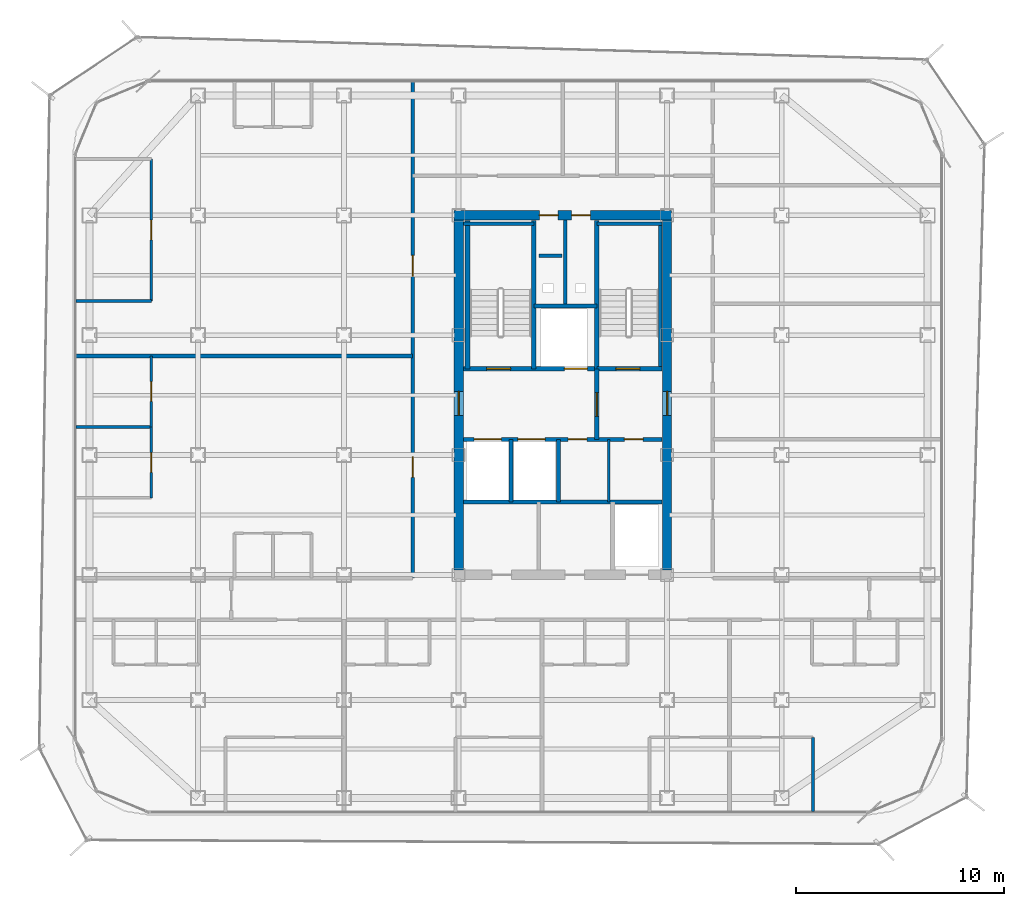
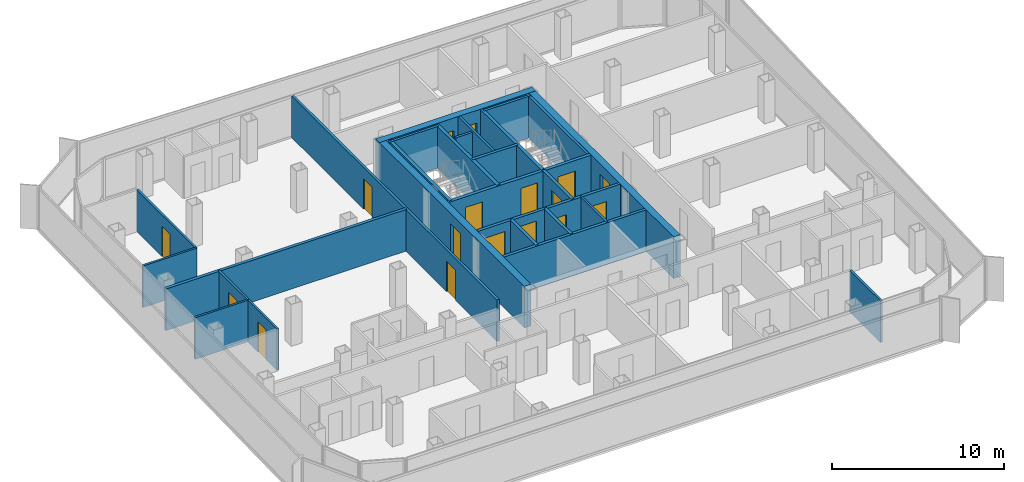
# One storey, part 11 of 16: 28 walls, 17 doors, 17 openings.
"""IFC4 building model written with IfcOpenShell, lengths in metres."""

from ifc_helpers import new_model, si_unit, direction, frame, frame_2d, origin, place, context, subcontext, project, spatial, rectangle, extrude, material, layer, layer_set, type_object, element, fill, save


model = new_model("IFC4")

# Units and contexts
model_context = context("Model", 3, precision=1e-05, world=origin(), true_north=direction((0.0, 1.0)))
body_context = subcontext(model_context, "Body", "Model", "MODEL_VIEW")
ifc_project = project(units=[si_unit("LENGTHUNIT", "METRE"), si_unit("AREAUNIT", "SQUARE_METRE"), si_unit("VOLUMEUNIT", "CUBIC_METRE"), si_unit("PLANEANGLEUNIT", "RADIAN"), si_unit("MASSUNIT", "GRAM", prefix="KILO")], contexts=[model_context])

# Site, building, storey
site_placement = place(None, origin())
site = spatial("IfcSite", under=ifc_project, at=site_placement, CompositionType="ELEMENT")
building_placement = place(site_placement, origin())
building = spatial("IfcBuilding", under=site, at=building_placement, Name="Kolveth Station Tower", CompositionType="ELEMENT")
storey_placement = place(building_placement, frame((0.0, 0.0, 209.199951171875)))
storey = spatial("IfcBuildingStorey", under=building, at=storey_placement, Name="L59", CompositionType="ELEMENT", Elevation=209.199951171875)

# Wall, openings, doors
ifc_material_1 = material(Name="Concrete C50/60", Category="concrete")
ifc_layer_1 = layer(ifc_material_1, 0.449951171875)
ifc_layer_set_1 = layer_set([ifc_layer_1], Name="Concrete C50/60")
wall_type_1 = type_object("IfcWallType", Name="Wall_CW-450", PredefinedType="SHEAR", material=ifc_layer_set_1)
wall_1_placement = place(storey_placement, frame((18.27490234375, 28.75, 0.0), z_axis=(0.0, 0.0, 1.0), x_axis=(1.0, 0.0, 0.0)))
wall_1 = element("IfcWall", 1, at=wall_1_placement, inside=storey, type_object=wall_type_1, Name="L59 Core RC Shear Wall N", PredefinedType="SHEAR", context=body_context, shape_type="SweptSolid", body=[
    extrude(rectangle(XDim=10.4501953125, YDim=0.449951171875, at=frame_2d((5.22509765625, 0.0))), origin(), (0.0, 0.0, 1.0), 2.949951171875),
])
opening_1_placement = place(wall_1_placement, frame((4.10498046875, 0.0, 0.0)))
opening_1 = element("IfcOpeningElement", 2, at=opening_1_placement, cuts=wall_1, Name="Opening RD1", PredefinedType="OPENING", context=body_context, shape_type="SweptSolid", body=[
    extrude(rectangle(XDim=0.89990234375, YDim=2.050048828125, at=frame_2d((0.449951171875, 1.02490234375))), frame((0.0, 0.23486328125, 0.0), z_axis=(0.0, -1.0, 0.0), x_axis=(1.0, 0.0, 0.0)), (0.0, 0.0, 1.0), 0.469970703125),
])
opening_2_placement = place(wall_1_placement, frame((5.64501953125, 0.0, 0.0)))
opening_2 = element("IfcOpeningElement", 3, at=opening_2_placement, cuts=wall_1, Name="Opening RD1", PredefinedType="OPENING", context=body_context, shape_type="SweptSolid", body=[
    extrude(rectangle(XDim=0.89990234375, YDim=2.050048828125, at=frame_2d((0.449951171875, 1.02490234375))), frame((0.0, 0.23486328125, 0.0), z_axis=(0.0, -1.0, 0.0), x_axis=(1.0, 0.0, 0.0)), (0.0, 0.0, 1.0), 0.469970703125),
])
ifc_material_2 = material(Name="Fire-rated Steel S355 riser access leaf", Category="steel")
door_type_1 = type_object("IfcDoorType", Name="Door_RD1", OperationType="NOTDEFINED", PredefinedType="DOOR", material=ifc_material_2)
door_1_placement = place(opening_1_placement, origin())
door_1 = element("IfcDoor", 4, at=door_1_placement, inside=storey, type_object=door_type_1, Name="L59 Electrical Riser Access Door", OperationType="SINGLE_SWING_RIGHT", OverallHeight=2.050048828125, OverallWidth=0.89990234375, PredefinedType="DOOR", context=body_context, shape_type="SweptSolid", body=[
    extrude(rectangle(XDim=0.89990234375, YDim=2.050048828125, at=frame_2d((0.449951171875, 1.02490234375))), frame((0.0, 0.02490234375, 0.0), z_axis=(0.0, -1.0, 0.0), x_axis=(1.0, 0.0, 0.0)), (0.0, 0.0, 1.0), 0.050048828125),
])
fill(opening_1, door_1)
door_2_placement = place(opening_2_placement, origin())
door_2 = element("IfcDoor", 5, at=door_2_placement, inside=storey, type_object=door_type_1, Name="L59 Smoke Duct Access Door", OperationType="SINGLE_SWING_LEFT", OverallHeight=2.050048828125, OverallWidth=0.89990234375, PredefinedType="DOOR", context=body_context, shape_type="SweptSolid", body=[
    extrude(rectangle(XDim=0.89990234375, YDim=2.050048828125, at=frame_2d((0.449951171875, 1.02490234375))), frame((0.0, 0.02490234375, 0.0), z_axis=(0.0, -1.0, 0.0), x_axis=(1.0, 0.0, 0.0)), (0.0, 0.0, 1.0), 0.050048828125),
])
fill(opening_2, door_2)

# Wall, opening, door
wall_2_placement = place(storey_placement, frame((18.5, 11.72509765625, 0.0), z_axis=(0.0, 0.0, 1.0), x_axis=(0.0, 1.0, 0.0)))
wall_2 = element("IfcWall", 6, at=wall_2_placement, inside=storey, type_object=wall_type_1, Name="L59 Core RC Shear Wall W", PredefinedType="SHEAR", context=body_context, shape_type="SweptSolid", body=[
    extrude(rectangle(XDim=16.7998046875, YDim=0.449951171875, at=frame_2d((8.39990234375, 0.0))), origin(), (0.0, 0.0, 1.0), 2.949951171875),
])
opening_3_placement = place(wall_2_placement, frame((7.425048828125, 0.0, 0.0)))
opening_3 = element("IfcOpeningElement", 7, at=opening_3_placement, cuts=wall_2, Name="Opening FD1", PredefinedType="OPENING", context=body_context, shape_type="SweptSolid", body=[
    extrude(rectangle(XDim=1.14990234375, YDim=2.199951171875, at=frame_2d((0.574951171875, 1.10009765625))), frame((0.0, 0.23486328125, 0.0), z_axis=(0.0, -1.0, 0.0), x_axis=(1.0, 0.0, 0.0)), (0.0, 0.0, 1.0), 0.469970703125),
])
ifc_material_3 = material(Name="Fire-rated Steel S355 leaf and frame", Category="steel")
door_type_2 = type_object("IfcDoorType", Name="Door_FD1", OperationType="NOTDEFINED", PredefinedType="DOOR", material=ifc_material_3)
door_3_placement = place(opening_3_placement, frame((1.14990234375, 0.0, 0.0), z_axis=(0.0, 0.0, 1.0), x_axis=(-1.0, 0.0, 0.0)))
door_3 = element("IfcDoor", 8, at=door_3_placement, inside=storey, type_object=door_type_2, Name="L59 West Corridor to Firefighting Lobby Door", OperationType="SINGLE_SWING_RIGHT", OverallHeight=2.199951171875, OverallWidth=1.14990234375, PredefinedType="DOOR", context=body_context, shape_type="SweptSolid", body=[
    extrude(rectangle(XDim=1.14990234375, YDim=2.199951171875, at=frame_2d((0.574951171875, 1.10009765625))), frame((0.0, 0.02490234375, 0.0), z_axis=(0.0, -1.0, 0.0), x_axis=(1.0, 0.0, 0.0)), (0.0, 0.0, 1.0), 0.050048828125),
])
fill(opening_3, door_3)

wall_3_placement = place(storey_placement, frame((28.5, 11.72509765625, 0.0), z_axis=(0.0, 0.0, 1.0), x_axis=(0.0, 1.0, 0.0)))
wall_3 = element("IfcWall", 9, at=wall_3_placement, inside=storey, type_object=wall_type_1, Name="L59 Core RC Shear Wall E", PredefinedType="SHEAR", context=body_context, shape_type="SweptSolid", body=[
    extrude(rectangle(XDim=16.7998046875, YDim=0.449951171875, at=frame_2d((8.39990234375, 0.0))), origin(), (0.0, 0.0, 1.0), 2.949951171875),
])
opening_4_placement = place(wall_3_placement, frame((7.425048828125, 0.0, 0.0)))
opening_4 = element("IfcOpeningElement", 10, at=opening_4_placement, cuts=wall_3, Name="Opening FD1", PredefinedType="OPENING", context=body_context, shape_type="SweptSolid", body=[
    extrude(rectangle(XDim=1.14990234375, YDim=2.199951171875, at=frame_2d((0.574951171875, 1.10009765625))), frame((0.0, 0.23486328125, 0.0), z_axis=(0.0, -1.0, 0.0), x_axis=(1.0, 0.0, 0.0)), (0.0, 0.0, 1.0), 0.469970703125),
])
door_4_placement = place(opening_4_placement, origin())
door_4 = element("IfcDoor", 11, at=door_4_placement, inside=storey, type_object=door_type_2, Name="L59 East Corridor to Stair Lobby Door", OperationType="SINGLE_SWING_LEFT", OverallHeight=2.199951171875, OverallWidth=1.14990234375, PredefinedType="DOOR", context=body_context, shape_type="SweptSolid", body=[
    extrude(rectangle(XDim=1.14990234375, YDim=2.199951171875, at=frame_2d((0.574951171875, 1.10009765625))), frame((0.0, 0.02490234375, 0.0), z_axis=(0.0, -1.0, 0.0), x_axis=(1.0, 0.0, 0.0)), (0.0, 0.0, 1.0), 0.050048828125),
])
fill(opening_4, door_4)

# Walls
ifc_material_4 = material(Name="Moisture-resistant gypsum partition")
ifc_layer_2 = layer(ifc_material_4, 0.135009765625)
ifc_layer_set_2 = layer_set([ifc_layer_2], Name="Moisture-resistant gypsum partition")
wall_type_2 = type_object("IfcWallType", Name="Wall_IW-135", PredefinedType="PARTITIONING", material=ifc_layer_set_2)
wall_4_placement = place(storey_placement, frame((25.699951171875, 15.0, 0.0), z_axis=(0.0, 0.0, 1.0), x_axis=(0.0, 1.0, 0.0)))
element("IfcWall", 12, at=wall_4_placement, inside=storey, type_object=wall_type_2, Name="L59 Partition Wall WL-L59-CB-V1", PredefinedType="PARTITIONING", context=body_context, shape_type="SweptSolid", body=[
    extrude(rectangle(XDim=3.0, YDim=0.135009765625, at=frame_2d((1.5, 0.0))), origin(), (0.0, 0.0, 1.0), 2.949951171875),
])
wall_5_placement = place(storey_placement, frame((35.4990234375, 0.159912109375, 0.0), z_axis=(0.0, 0.0, 1.0), x_axis=(0.0, 1.0, 0.0)))
element("IfcWall", 13, at=wall_5_placement, inside=storey, type_object=wall_type_2, Name="L59 Partition Wall WL-L59-A4-BDVE", PredefinedType="PARTITIONING", context=body_context, shape_type="SweptSolid", body=[
    extrude(rectangle(XDim=3.550048828125, YDim=0.135009765625, at=frame_2d((1.77490234375, 0.0))), origin(), (0.0, 0.0, 1.0), 2.949951171875),
])

# Wall, opening, door
wall_6_placement = place(storey_placement, frame((3.760009765625, 15.199951171875, 0.0), z_axis=(0.0, 0.0, 1.0), x_axis=(0.0, 1.0, 0.0)))
wall_6 = element("IfcWall", 14, at=wall_6_placement, inside=storey, type_object=wall_type_2, Name="L59 Partition Wall WL-L59-W1-BDV1", PredefinedType="PARTITIONING", context=body_context, shape_type="SweptSolid", body=[
    extrude(rectangle(XDim=3.400146484375, YDim=0.135009765625, at=frame_2d((1.7001953125, 0.0))), origin(), (0.0, 0.0, 1.0), 2.949951171875),
])
opening_5_placement = place(wall_6_placement, frame((1.219970703125, 0.0, 0.0)))
opening_5 = element("IfcOpeningElement", 15, at=opening_5_placement, cuts=wall_6, Name="Opening ID1", PredefinedType="OPENING", context=body_context, shape_type="SweptSolid", body=[
    extrude(rectangle(XDim=0.949951171875, YDim=2.14990234375, at=frame_2d((0.47509765625, 1.074951171875))), frame((0.0, 0.077392578125, 0.0), z_axis=(0.0, -1.0, 0.0), x_axis=(1.0, 0.0, 0.0)), (0.0, 0.0, 1.0), 0.155029296875),
])
ifc_material_5 = material(Name="Acoustic hardwood leaf and aluminium frame", Category="wood")
door_type_3 = type_object("IfcDoorType", Name="Door_ID1", OperationType="NOTDEFINED", PredefinedType="DOOR", material=ifc_material_5)
door_5_placement = place(opening_5_placement, origin())
door_5 = element("IfcDoor", 16, at=door_5_placement, inside=storey, type_object=door_type_3, Name="Penthouse Flat L59-W1 Bedroom 1 Door", OperationType="SINGLE_SWING_LEFT", OverallHeight=2.14990234375, OverallWidth=0.949951171875, PredefinedType="DOOR", context=body_context, shape_type="SweptSolid", body=[
    extrude(rectangle(XDim=0.949951171875, YDim=2.14990234375, at=frame_2d((0.47509765625, 1.074951171875))), frame((0.0, 0.02490234375, 0.0), z_axis=(0.0, -1.0, 0.0), x_axis=(1.0, 0.0, 0.0)), (0.0, 0.0, 1.0), 0.050048828125),
])
fill(opening_5, door_5)

wall_7_placement = place(storey_placement, frame((3.760009765625, 18.60009765625, 0.0), z_axis=(0.0, 0.0, 1.0), x_axis=(0.0, 1.0, 0.0)))
wall_7 = element("IfcWall", 17, at=wall_7_placement, inside=storey, type_object=wall_type_2, Name="L59 Partition Wall WL-L59-W1-BDV2", PredefinedType="PARTITIONING", context=body_context, shape_type="SweptSolid", body=[
    extrude(rectangle(XDim=3.39990234375, YDim=0.135009765625, at=frame_2d((1.699951171875, 0.0))), origin(), (0.0, 0.0, 1.0), 2.949951171875),
])
opening_6_placement = place(wall_7_placement, frame((1.219970703125, 0.0, 0.0)))
opening_6 = element("IfcOpeningElement", 18, at=opening_6_placement, cuts=wall_7, Name="Opening ID1", PredefinedType="OPENING", context=body_context, shape_type="SweptSolid", body=[
    extrude(rectangle(XDim=0.949951171875, YDim=2.14990234375, at=frame_2d((0.47509765625, 1.074951171875))), frame((0.0, 0.077392578125, 0.0), z_axis=(0.0, -1.0, 0.0), x_axis=(1.0, 0.0, 0.0)), (0.0, 0.0, 1.0), 0.155029296875),
])
door_6_placement = place(opening_6_placement, origin())
door_6 = element("IfcDoor", 19, at=door_6_placement, inside=storey, type_object=door_type_3, Name="Penthouse Flat L59-W1 Bedroom 2 Door", OperationType="SINGLE_SWING_LEFT", OverallHeight=2.14990234375, OverallWidth=0.949951171875, PredefinedType="DOOR", context=body_context, shape_type="SweptSolid", body=[
    extrude(rectangle(XDim=0.949951171875, YDim=2.14990234375, at=frame_2d((0.47509765625, 1.074951171875))), frame((0.0, 0.02490234375, 0.0), z_axis=(0.0, -1.0, 0.0), x_axis=(1.0, 0.0, 0.0)), (0.0, 0.0, 1.0), 0.050048828125),
])
fill(opening_6, door_6)

# Walls
for number, where, z_axis, x_axis, name in (
    (20, (0.159912109375, 18.60009765625, 0.0), (0.0, 0.0, 1.0), (1.0, 0.0, 0.0), "L59 Partition Wall WL-L59-W1-BDH1"),
    (21, (0.159912109375, 24.64599609375, 0.0), (0.0, 0.0, 1.0), (1.0, 0.0, 0.0), "L59 Partition Wall WL-L59-W2-BDH0"),
):
    element("IfcWall", number, at=place(storey_placement, frame(where, z_axis=z_axis, x_axis=x_axis)), inside=storey, type_object=wall_type_2, Name=name, PredefinedType="PARTITIONING", context=body_context, shape_type="SweptSolid", body=[
        extrude(rectangle(XDim=3.60009765625, YDim=0.135009765625, at=frame_2d((1.800048828125, 0.0))), origin(), (0.0, 0.0, 1.0), 2.949951171875),
    ])

# Wall, opening, door
wall_8_placement = place(storey_placement, frame((3.760009765625, 24.64599609375, 0.0), z_axis=(0.0, 0.0, 1.0), x_axis=(0.0, 1.0, 0.0)))
wall_8 = element("IfcWall", 22, at=wall_8_placement, inside=storey, type_object=wall_type_2, Name="L59 Partition Wall WL-L59-W2-BDV1", PredefinedType="PARTITIONING", context=body_context, shape_type="SweptSolid", body=[
    extrude(rectangle(XDim=6.803955078125, YDim=0.135009765625, at=frame_2d((3.40185546875, 0.0))), origin(), (0.0, 0.0, 1.0), 2.949951171875),
])
opening_7_placement = place(wall_8_placement, frame((2.922119140625, 0.0, 0.0)))
opening_7 = element("IfcOpeningElement", 23, at=opening_7_placement, cuts=wall_8, Name="Opening ID1", PredefinedType="OPENING", context=body_context, shape_type="SweptSolid", body=[
    extrude(rectangle(XDim=0.949951171875, YDim=2.14990234375, at=frame_2d((0.47509765625, 1.074951171875))), frame((0.0, 0.077392578125, 0.0), z_axis=(0.0, -1.0, 0.0), x_axis=(1.0, 0.0, 0.0)), (0.0, 0.0, 1.0), 0.155029296875),
])
door_7_placement = place(opening_7_placement, origin())
door_7 = element("IfcDoor", 24, at=door_7_placement, inside=storey, type_object=door_type_3, Name="Penthouse Flat L59-W2 Bedroom 1 Door", OperationType="SINGLE_SWING_LEFT", OverallHeight=2.14990234375, OverallWidth=0.949951171875, PredefinedType="DOOR", context=body_context, shape_type="SweptSolid", body=[
    extrude(rectangle(XDim=0.949951171875, YDim=2.14990234375, at=frame_2d((0.47509765625, 1.074951171875))), frame((0.0, 0.02490234375, 0.0), z_axis=(0.0, -1.0, 0.0), x_axis=(1.0, 0.0, 0.0)), (0.0, 0.0, 1.0), 0.050048828125),
])
fill(opening_7, door_7)

# Walls
ifc_material_6 = material(Name="Acoustic double-stud gypsum partition")
ifc_layer_3 = layer(ifc_material_6, 0.1650390625)
ifc_layer_set_3 = layer_set([ifc_layer_3], Name="Acoustic double-stud gypsum partition")
wall_type_3 = type_object("IfcWallType", Name="Wall_IW-165", PredefinedType="PARTITIONING", material=ifc_layer_set_3)
wall_9_placement = place(storey_placement, frame((18.735107421875, 28.3349609375, 0.0), z_axis=(0.0, 0.0, 1.0), x_axis=(1.0, 0.0, 0.0)))
element("IfcWall", 25, at=wall_9_placement, inside=storey, type_object=wall_type_3, Name="L59 Stair Shaft Wall WL-L59-ST1-N", PredefinedType="PARTITIONING", context=body_context, shape_type="SweptSolid", body=[
    extrude(rectangle(XDim=3.375, YDim=0.1650390625, at=frame_2d((1.6875, 0.0))), origin(), (0.0, 0.0, 1.0), 2.949951171875),
])
wall_10_placement = place(storey_placement, frame((25.1298828125, 28.3349609375, 0.0), z_axis=(0.0, 0.0, 1.0), x_axis=(1.0, 0.0, 0.0)))
element("IfcWall", 26, at=wall_10_placement, inside=storey, type_object=wall_type_3, Name="L59 Stair Shaft Wall WL-L59-ST2-N", PredefinedType="PARTITIONING", context=body_context, shape_type="SweptSolid", body=[
    extrude(rectangle(XDim=3.135009765625, YDim=0.1650390625, at=frame_2d((1.5673828125, 0.0))), origin(), (0.0, 0.0, 1.0), 2.949951171875),
])
wall_11_placement = place(storey_placement, frame((28.1826171875, 21.389892578125, 0.0), z_axis=(0.0, 0.0, 1.0), x_axis=(0.0, 1.0, 0.0)))
element("IfcWall", 27, at=wall_11_placement, inside=storey, type_object=wall_type_3, Name="L59 Stair Shaft Wall WL-L59-ST2-E", PredefinedType="PARTITIONING", context=body_context, shape_type="SweptSolid", body=[
    extrude(rectangle(XDim=6.945068359375, YDim=0.1650390625, at=frame_2d((3.47265625, 0.0))), origin(), (0.0, 0.0, 1.0), 2.949951171875),
])
wall_12_placement = place(storey_placement, frame((23.6201171875, 24.39990234375, 0.0), z_axis=(0.0, 0.0, 1.0), x_axis=(0.0, 1.0, 0.0)))
element("IfcWall", 28, at=wall_12_placement, inside=storey, type_object=wall_type_3, Name="L59 Partition Wall WL-L59-RSR-M", PredefinedType="PARTITIONING", context=body_context, shape_type="SweptSolid", body=[
    extrude(rectangle(XDim=4.114990234375, YDim=0.1650390625, at=frame_2d((2.0576171875, 0.0))), origin(), (0.0, 0.0, 1.0), 2.949951171875),
])

# Wall, openings, doors
wall_13_placement = place(storey_placement, frame((16.300048828125, 11.35009765625, 0.0), z_axis=(0.0, 0.0, 1.0), x_axis=(0.0, 1.0, 0.0)))
wall_13 = element("IfcWall", 29, at=wall_13_placement, inside=storey, type_object=wall_type_3, Name="L59 Partition Wall WL-L59-RW", PredefinedType="PARTITIONING", context=body_context, shape_type="SweptSolid", body=[
    extrude(rectangle(XDim=23.789794921875, YDim=0.1650390625, at=frame_2d((11.89501953125, 0.0))), origin(), (0.0, 0.0, 1.0), 2.949951171875),
])
opening_8_placement = place(wall_13_placement, frame((4.824951171875, 0.0, 0.0)))
opening_8 = element("IfcOpeningElement", 30, at=opening_8_placement, cuts=wall_13, Name="Opening FD3", PredefinedType="OPENING", context=body_context, shape_type="SweptSolid", body=[
    extrude(rectangle(XDim=1.0, YDim=2.14990234375, at=frame_2d((0.5, 1.074951171875))), frame((0.0, 0.092529296875, 0.0), z_axis=(0.0, -1.0, 0.0), x_axis=(1.0, 0.0, 0.0)), (0.0, 0.0, 1.0), 0.18505859375),
])
opening_9_placement = place(wall_13_placement, frame((14.47509765625, 0.0, 0.0)))
opening_9 = element("IfcOpeningElement", 31, at=opening_9_placement, cuts=wall_13, Name="Opening FD3", PredefinedType="OPENING", context=body_context, shape_type="SweptSolid", body=[
    extrude(rectangle(XDim=1.0, YDim=2.14990234375, at=frame_2d((0.5, 1.074951171875))), frame((0.0, 0.092529296875, 0.0), z_axis=(0.0, -1.0, 0.0), x_axis=(1.0, 0.0, 0.0)), (0.0, 0.0, 1.0), 0.18505859375),
])
ifc_material_7 = material(Name="Fire-rated hardwood leaf and aluminium frame", Category="wood")
door_type_4 = type_object("IfcDoorType", Name="Door_FD3", OperationType="NOTDEFINED", PredefinedType="DOOR", material=ifc_material_7)
door_8_placement = place(opening_8_placement, origin())
door_8 = element("IfcDoor", 32, at=door_8_placement, inside=storey, type_object=door_type_4, Name="Penthouse Flat L59-W1 Entrance Door", OperationType="SINGLE_SWING_RIGHT", OverallHeight=2.14990234375, OverallWidth=1.0, PredefinedType="DOOR", context=body_context, shape_type="SweptSolid", body=[
    extrude(rectangle(XDim=1.0, YDim=2.14990234375, at=frame_2d((0.5, 1.074951171875))), frame((0.0, 0.02490234375, 0.0), z_axis=(0.0, -1.0, 0.0), x_axis=(1.0, 0.0, 0.0)), (0.0, 0.0, 1.0), 0.050048828125),
])
fill(opening_8, door_8)
door_9_placement = place(opening_9_placement, origin())
door_9 = element("IfcDoor", 33, at=door_9_placement, inside=storey, type_object=door_type_4, Name="Penthouse Flat L59-W2 Entrance Door", OperationType="SINGLE_SWING_RIGHT", OverallHeight=2.14990234375, OverallWidth=1.0, PredefinedType="DOOR", context=body_context, shape_type="SweptSolid", body=[
    extrude(rectangle(XDim=1.0, YDim=2.14990234375, at=frame_2d((0.5, 1.074951171875))), frame((0.0, 0.02490234375, 0.0), z_axis=(0.0, -1.0, 0.0), x_axis=(1.0, 0.0, 0.0)), (0.0, 0.0, 1.0), 0.050048828125),
])
fill(opening_9, door_9)

# Walls
wall_14_placement = place(storey_placement, frame((22.35009765625, 26.800048828125, 0.0), z_axis=(0.0, 0.0, 1.0), x_axis=(1.0, 0.0, 0.0)))
element("IfcWall", 34, at=wall_14_placement, inside=storey, type_object=wall_type_3, Name="L59 Acoustic Riser Dry-Lining Wall", PredefinedType="PARTITIONING", context=body_context, shape_type="SweptSolid", body=[
    extrude(rectangle(XDim=1.099853515625, YDim=0.1650390625, at=frame_2d((0.5498046875, 0.0))), origin(), (0.0, 0.0, 1.0), 2.949951171875),
])
ifc_material_8 = material(Name="Acoustic fire-rated gypsum blockwork", Category="masonry")
ifc_layer_4 = layer(ifc_material_8, 0.199951171875)
ifc_layer_set_4 = layer_set([ifc_layer_4], Name="Acoustic fire-rated gypsum blockwork")
wall_type_4 = type_object("IfcWallType", Name="Wall_IW-200", PredefinedType="PARTITIONING", material=ifc_layer_set_4)
wall_15_placement = place(storey_placement, frame((22.110107421875, 24.39990234375, 0.0), z_axis=(0.0, 0.0, 1.0), x_axis=(1.0, 0.0, 0.0)))
element("IfcWall", 35, at=wall_15_placement, inside=storey, type_object=wall_type_4, Name="L59 Partition Wall WL-L59-RSR-S", PredefinedType="PARTITIONING", context=body_context, shape_type="SweptSolid", body=[
    extrude(rectangle(XDim=3.019775390625, YDim=0.199951171875, at=frame_2d((1.509765625, 0.0))), origin(), (0.0, 0.0, 1.0), 2.949951171875),
])

# Wall, opening, door
wall_16_placement = place(storey_placement, frame((25.1298828125, 18.0, 0.0), z_axis=(0.0, 0.0, 1.0), x_axis=(0.0, 1.0, 0.0)))
wall_16 = element("IfcWall", 36, at=wall_16_placement, inside=storey, type_object=wall_type_4, Name="L59 Partition Wall WL-L59-FFL-E", PredefinedType="PARTITIONING", context=body_context, shape_type="SweptSolid", body=[
    extrude(rectangle(XDim=3.389892578125, YDim=0.199951171875, at=frame_2d((1.69482421875, 0.0))), origin(), (0.0, 0.0, 1.0), 2.949951171875),
])
opening_10_placement = place(wall_16_placement, frame((1.10009765625, 0.0, 0.0)))
opening_10 = element("IfcOpeningElement", 37, at=opening_10_placement, cuts=wall_16, Name="Opening FD1", PredefinedType="OPENING", context=body_context, shape_type="SweptSolid", body=[
    extrude(rectangle(XDim=1.14990234375, YDim=2.199951171875, at=frame_2d((0.574951171875, 1.10009765625))), frame((0.0, 0.10986328125, 0.0), z_axis=(0.0, -1.0, 0.0), x_axis=(1.0, 0.0, 0.0)), (0.0, 0.0, 1.0), 0.219970703125),
])
door_10_placement = place(opening_10_placement, origin())
door_10 = element("IfcDoor", 38, at=door_10_placement, inside=storey, type_object=door_type_2, Name="L59 Firefighting to Stair Lobby Door", OperationType="SINGLE_SWING_LEFT", OverallHeight=2.199951171875, OverallWidth=1.14990234375, PredefinedType="DOOR", context=body_context, shape_type="SweptSolid", body=[
    extrude(rectangle(XDim=1.14990234375, YDim=2.199951171875, at=frame_2d((0.574951171875, 1.10009765625))), frame((0.0, 0.02490234375, 0.0), z_axis=(0.0, -1.0, 0.0), x_axis=(1.0, 0.0, 0.0)), (0.0, 0.0, 1.0), 0.050048828125),
])
fill(opening_10, door_10)

# Wall, openings, doors
wall_17_placement = place(storey_placement, frame((18.735107421875, 18.0, 0.0), z_axis=(0.0, 0.0, 1.0), x_axis=(1.0, 0.0, 0.0)))
wall_17 = element("IfcWall", 39, at=wall_17_placement, inside=storey, type_object=wall_type_4, Name="L59 Partition Wall WL-L59-FFL-S", PredefinedType="PARTITIONING", context=body_context, shape_type="SweptSolid", body=[
    extrude(rectangle(XDim=9.52978515625, YDim=0.199951171875, at=frame_2d((4.764892578125, 0.0))), origin(), (0.0, 0.0, 1.0), 2.949951171875),
])
opening_11_placement = place(wall_17_placement, frame((0.514892578125, 0.0, 0.0)))
opening_11 = element("IfcOpeningElement", 40, at=opening_11_placement, cuts=wall_17, Name="Opening LD2", PredefinedType="OPENING", context=body_context, shape_type="SweptSolid", body=[
    extrude(rectangle(XDim=1.300048828125, YDim=2.300048828125, at=frame_2d((0.64990234375, 1.14990234375))), frame((0.0, 0.10986328125, 0.0), z_axis=(0.0, -1.0, 0.0), x_axis=(1.0, 0.0, 0.0)), (0.0, 0.0, 1.0), 0.219970703125),
])
opening_12_placement = place(wall_17_placement, frame((2.614990234375, 0.0, 0.0)))
opening_12 = element("IfcOpeningElement", 41, at=opening_12_placement, cuts=wall_17, Name="Opening LD2", PredefinedType="OPENING", context=body_context, shape_type="SweptSolid", body=[
    extrude(rectangle(XDim=1.300048828125, YDim=2.300048828125, at=frame_2d((0.64990234375, 1.14990234375))), frame((0.0, 0.10986328125, 0.0), z_axis=(0.0, -1.0, 0.0), x_axis=(1.0, 0.0, 0.0)), (0.0, 0.0, 1.0), 0.219970703125),
])
opening_13_placement = place(wall_17_placement, frame((5.014892578125, 0.0, 0.0)))
opening_13 = element("IfcOpeningElement", 42, at=opening_13_placement, cuts=wall_17, Name="Opening RD1", PredefinedType="OPENING", context=body_context, shape_type="SweptSolid", body=[
    extrude(rectangle(XDim=0.89990234375, YDim=2.050048828125, at=frame_2d((0.449951171875, 1.02490234375))), frame((0.0, 0.10986328125, 0.0), z_axis=(0.0, -1.0, 0.0), x_axis=(1.0, 0.0, 0.0)), (0.0, 0.0, 1.0), 0.219970703125),
])
opening_14_placement = place(wall_17_placement, frame((7.715087890625, 0.0, 0.0)))
opening_14 = element("IfcOpeningElement", 43, at=opening_14_placement, cuts=wall_17, Name="Opening RD1", PredefinedType="OPENING", context=body_context, shape_type="SweptSolid", body=[
    extrude(rectangle(XDim=0.89990234375, YDim=2.050048828125, at=frame_2d((0.449951171875, 1.02490234375))), frame((0.0, 0.10986328125, 0.0), z_axis=(0.0, -1.0, 0.0), x_axis=(1.0, 0.0, 0.0)), (0.0, 0.0, 1.0), 0.219970703125),
])
ifc_material_9 = material(Name="Firefighting stainless steel sliding landing doors", Category="steel")
door_type_5 = type_object("IfcDoorType", Name="Door_LD2", OperationType="NOTDEFINED", PredefinedType="DOOR", material=ifc_material_9)
door_11_placement = place(opening_11_placement, origin())
door_11 = element("IfcDoor", 44, at=door_11_placement, inside=storey, type_object=door_type_5, Name="L59 Firefighting Lift FF1 Landing Door", OperationType="DOUBLE_DOOR_SLIDING", OverallHeight=2.300048828125, OverallWidth=1.300048828125, PredefinedType="DOOR", context=body_context, shape_type="SweptSolid", body=[
    extrude(rectangle(XDim=1.300048828125, YDim=2.300048828125, at=frame_2d((0.64990234375, 1.14990234375))), frame((0.0, 0.02490234375, 0.0), z_axis=(0.0, -1.0, 0.0), x_axis=(1.0, 0.0, 0.0)), (0.0, 0.0, 1.0), 0.050048828125),
])
fill(opening_11, door_11)
door_12_placement = place(opening_12_placement, origin())
door_12 = element("IfcDoor", 45, at=door_12_placement, inside=storey, type_object=door_type_5, Name="L59 Firefighting Lift FF2 Landing Door", OperationType="DOUBLE_DOOR_SLIDING", OverallHeight=2.300048828125, OverallWidth=1.300048828125, PredefinedType="DOOR", context=body_context, shape_type="SweptSolid", body=[
    extrude(rectangle(XDim=1.300048828125, YDim=2.300048828125, at=frame_2d((0.64990234375, 1.14990234375))), frame((0.0, 0.02490234375, 0.0), z_axis=(0.0, -1.0, 0.0), x_axis=(1.0, 0.0, 0.0)), (0.0, 0.0, 1.0), 0.050048828125),
])
fill(opening_12, door_12)
door_13_placement = place(opening_13_placement, frame((0.89990234375, 0.0, 0.0), z_axis=(0.0, 0.0, 1.0), x_axis=(-1.0, 0.0, 0.0)))
door_13 = element("IfcDoor", 46, at=door_13_placement, inside=storey, type_object=door_type_1, Name="L59 Core Accessible WC Door", OperationType="SINGLE_SWING_RIGHT", OverallHeight=2.050048828125, OverallWidth=0.89990234375, PredefinedType="DOOR", context=body_context, shape_type="SweptSolid", body=[
    extrude(rectangle(XDim=0.89990234375, YDim=2.050048828125, at=frame_2d((0.449951171875, 1.02490234375))), frame((0.0, 0.02490234375, 0.0), z_axis=(0.0, -1.0, 0.0), x_axis=(1.0, 0.0, 0.0)), (0.0, 0.0, 1.0), 0.050048828125),
])
fill(opening_13, door_13)
door_14_placement = place(opening_14_placement, frame((0.89990234375, 0.0, 0.0), z_axis=(0.0, 0.0, 1.0), x_axis=(-1.0, 0.0, 0.0)))
door_14 = element("IfcDoor", 47, at=door_14_placement, inside=storey, type_object=door_type_1, Name="L59 Core Cleaner Store Door", OperationType="SINGLE_SWING_LEFT", OverallHeight=2.050048828125, OverallWidth=0.89990234375, PredefinedType="DOOR", context=body_context, shape_type="SweptSolid", body=[
    extrude(rectangle(XDim=0.89990234375, YDim=2.050048828125, at=frame_2d((0.449951171875, 1.02490234375))), frame((0.0, 0.02490234375, 0.0), z_axis=(0.0, -1.0, 0.0), x_axis=(1.0, 0.0, 0.0)), (0.0, 0.0, 1.0), 0.050048828125),
])
fill(opening_14, door_14)

# Walls
for number, where, z_axis, x_axis, name in (
    (48, (21.02001953125, 15.0, 0.0), (0.0, 0.0, 1.0), (0.0, 1.0, 0.0), "L59 Partition Wall WL-L59-FF12"),
    (49, (23.300048828125, 15.0, 0.0), (0.0, 0.0, 1.0), (0.0, 1.0, 0.0), "L59 Partition Wall WL-L59-FF2E"),
):
    element("IfcWall", number, at=place(storey_placement, frame(where, z_axis=z_axis, x_axis=x_axis)), inside=storey, type_object=wall_type_4, Name=name, PredefinedType="PARTITIONING", context=body_context, shape_type="SweptSolid", body=[
        extrude(rectangle(XDim=3.0, YDim=0.199951171875, at=frame_2d((1.5, 0.0))), origin(), (0.0, 0.0, 1.0), 2.949951171875),
    ])
wall_18_placement = place(storey_placement, frame((18.735107421875, 15.0, 0.0), z_axis=(0.0, 0.0, 1.0), x_axis=(1.0, 0.0, 0.0)))
element("IfcWall", 50, at=wall_18_placement, inside=storey, type_object=wall_type_4, Name="L59 Partition Wall WL-L59-BOH-S", PredefinedType="PARTITIONING", context=body_context, shape_type="SweptSolid", body=[
    extrude(rectangle(XDim=9.52978515625, YDim=0.199951171875, at=frame_2d((4.764892578125, 0.0))), origin(), (0.0, 0.0, 1.0), 2.949951171875),
])
wall_19_placement = place(storey_placement, frame((0.159912109375, 22.0, 0.0), z_axis=(0.0, 0.0, 1.0), x_axis=(1.0, 0.0, 0.0)))
element("IfcWall", 51, at=wall_19_placement, inside=storey, type_object=wall_type_4, Name="L59 Partition Wall WL-L59-RWU-1", PredefinedType="PARTITIONING", context=body_context, shape_type="SweptSolid", body=[
    extrude(rectangle(XDim=16.14013671875, YDim=0.199951171875, at=frame_2d((8.070068359375, 0.0))), origin(), (0.0, 0.0, 1.0), 2.949951171875),
])
ifc_material_10 = material(Name="Concrete C40/50", Category="concrete")
ifc_layer_5 = layer(ifc_material_10, 0.219970703125)
ifc_layer_set_5 = layer_set([ifc_layer_5], Name="Concrete C40/50")
wall_type_5 = type_object("IfcWallType", Name="Wall_IW-220", PredefinedType="SOLIDWALL", material=ifc_layer_set_5)
for number, where, z_axis, x_axis, name in (
    (52, (18.929931640625, 21.389892578125, 0.0), (0.0, 0.0, 1.0), (0.0, 1.0, 0.0), "L59 Stair Shaft Wall WL-L59-ST1-W"),
    (53, (22.110107421875, 21.389892578125, 0.0), (0.0, 0.0, 1.0), (0.0, 1.0, 0.0), "L59 Stair Shaft Wall WL-L59-ST1-E"),
    (54, (25.1298828125, 21.389892578125, 0.0), (0.0, 0.0, 1.0), (0.0, 1.0, 0.0), "L59 Stair Shaft Wall WL-L59-ST2-W"),
):
    element("IfcWall", number, at=place(storey_placement, frame(where, z_axis=z_axis, x_axis=x_axis)), inside=storey, type_object=wall_type_5, Name=name, PredefinedType="SOLIDWALL", context=body_context, shape_type="SweptSolid", body=[
        extrude(rectangle(XDim=7.110107421875, YDim=0.219970703125, at=frame_2d((3.55517578125, 0.0))), origin(), (0.0, 0.0, 1.0), 2.949951171875),
    ])

# Wall, openings, doors
wall_20_placement = place(storey_placement, frame((18.735107421875, 21.389892578125, 0.0), z_axis=(0.0, 0.0, 1.0), x_axis=(1.0, 0.0, 0.0)))
wall_20 = element("IfcWall", 55, at=wall_20_placement, inside=storey, type_object=wall_type_5, Name="L59 Stair Shaft Wall WL-L59-ST1-S", PredefinedType="SOLIDWALL", context=body_context, shape_type="SweptSolid", body=[
    extrude(rectangle(XDim=6.394775390625, YDim=0.219970703125, at=frame_2d((3.197265625, 0.0))), origin(), (0.0, 0.0, 1.0), 2.949951171875),
])
opening_15_placement = place(wall_20_placement, frame((1.114990234375, 0.0, 0.0)))
opening_15 = element("IfcOpeningElement", 56, at=opening_15_placement, cuts=wall_20, Name="Opening FD1", PredefinedType="OPENING", context=body_context, shape_type="SweptSolid", body=[
    extrude(rectangle(XDim=1.14990234375, YDim=2.199951171875, at=frame_2d((0.574951171875, 1.10009765625))), frame((0.0, 0.119873046875, 0.0), z_axis=(0.0, -1.0, 0.0), x_axis=(1.0, 0.0, 0.0)), (0.0, 0.0, 1.0), 0.239990234375),
])
opening_16_placement = place(wall_20_placement, frame((4.844970703125, 0.0, 0.0)))
opening_16 = element("IfcOpeningElement", 57, at=opening_16_placement, cuts=wall_20, Name="Opening LD1", PredefinedType="OPENING", context=body_context, shape_type="SweptSolid", body=[
    extrude(rectangle(XDim=1.10009765625, YDim=2.25, at=frame_2d((0.550048828125, 1.125))), frame((0.0, 0.119873046875, 0.0), z_axis=(0.0, -1.0, 0.0), x_axis=(1.0, 0.0, 0.0)), (0.0, 0.0, 1.0), 0.239990234375),
])
door_15_placement = place(opening_15_placement, frame((1.14990234375, 0.0, 0.0), z_axis=(0.0, 0.0, 1.0), x_axis=(-1.0, 0.0, 0.0)))
door_15 = element("IfcDoor", 58, at=door_15_placement, inside=storey, type_object=door_type_2, Name="L59 Stair ST1 Fire Door", OperationType="SINGLE_SWING_LEFT", OverallHeight=2.199951171875, OverallWidth=1.14990234375, PredefinedType="DOOR", context=body_context, shape_type="SweptSolid", body=[
    extrude(rectangle(XDim=1.14990234375, YDim=2.199951171875, at=frame_2d((0.574951171875, 1.10009765625))), frame((0.0, 0.02490234375, 0.0), z_axis=(0.0, -1.0, 0.0), x_axis=(1.0, 0.0, 0.0)), (0.0, 0.0, 1.0), 0.050048828125),
])
fill(opening_15, door_15)
ifc_material_11 = material(Name="Brushed stainless steel sliding landing doors", Category="steel")
door_type_6 = type_object("IfcDoorType", Name="Door_LD1", OperationType="NOTDEFINED", PredefinedType="DOOR", material=ifc_material_11)
door_16_placement = place(opening_16_placement, frame((1.10009765625, 0.0, 0.0), z_axis=(0.0, 0.0, 1.0), x_axis=(-1.0, 0.0, 0.0)))
door_16 = element("IfcDoor", 59, at=door_16_placement, inside=storey, type_object=door_type_6, Name="L59 Service Lift SV1 Landing Door", OperationType="DOUBLE_DOOR_SLIDING", OverallHeight=2.25, OverallWidth=1.10009765625, PredefinedType="DOOR", context=body_context, shape_type="SweptSolid", body=[
    extrude(rectangle(XDim=1.10009765625, YDim=2.25, at=frame_2d((0.550048828125, 1.125))), frame((0.0, 0.02490234375, 0.0), z_axis=(0.0, -1.0, 0.0), x_axis=(1.0, 0.0, 0.0)), (0.0, 0.0, 1.0), 0.050048828125),
])
fill(opening_16, door_16)

# Wall, opening, door
wall_21_placement = place(storey_placement, frame((25.1298828125, 21.389892578125, 0.0), z_axis=(0.0, 0.0, 1.0), x_axis=(1.0, 0.0, 0.0)))
wall_21 = element("IfcWall", 60, at=wall_21_placement, inside=storey, type_object=wall_type_5, Name="L59 Stair Shaft Wall WL-L59-ST2-S", PredefinedType="SOLIDWALL", context=body_context, shape_type="SweptSolid", body=[
    extrude(rectangle(XDim=3.135009765625, YDim=0.219970703125, at=frame_2d((1.5673828125, 0.0))), origin(), (0.0, 0.0, 1.0), 2.949951171875),
])
opening_17_placement = place(wall_21_placement, frame((0.919921875, 0.0, 0.0)))
opening_17 = element("IfcOpeningElement", 61, at=opening_17_placement, cuts=wall_21, Name="Opening FD1", PredefinedType="OPENING", context=body_context, shape_type="SweptSolid", body=[
    extrude(rectangle(XDim=1.14990234375, YDim=2.199951171875, at=frame_2d((0.574951171875, 1.10009765625))), frame((0.0, 0.119873046875, 0.0), z_axis=(0.0, -1.0, 0.0), x_axis=(1.0, 0.0, 0.0)), (0.0, 0.0, 1.0), 0.239990234375),
])
door_17_placement = place(opening_17_placement, frame((1.14990234375, 0.0, 0.0), z_axis=(0.0, 0.0, 1.0), x_axis=(-1.0, 0.0, 0.0)))
door_17 = element("IfcDoor", 62, at=door_17_placement, inside=storey, type_object=door_type_2, Name="L59 Stair ST2 Fire Door", OperationType="SINGLE_SWING_LEFT", OverallHeight=2.199951171875, OverallWidth=1.14990234375, PredefinedType="DOOR", context=body_context, shape_type="SweptSolid", body=[
    extrude(rectangle(XDim=1.14990234375, YDim=2.199951171875, at=frame_2d((0.574951171875, 1.10009765625))), frame((0.0, 0.02490234375, 0.0), z_axis=(0.0, -1.0, 0.0), x_axis=(1.0, 0.0, 0.0)), (0.0, 0.0, 1.0), 0.050048828125),
])
fill(opening_17, door_17)

save(model, "model.ifc")
